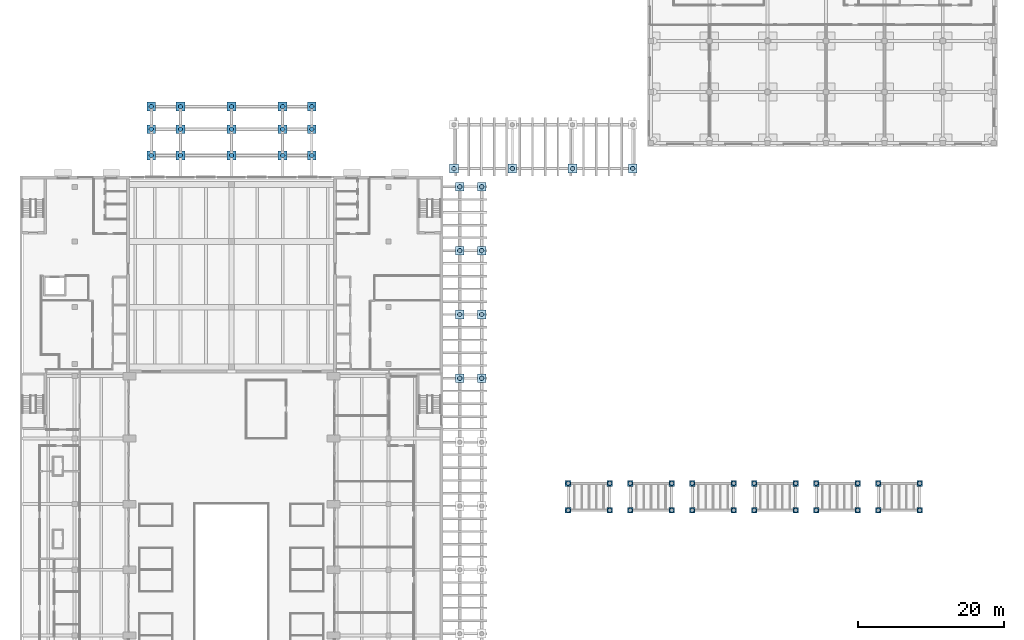
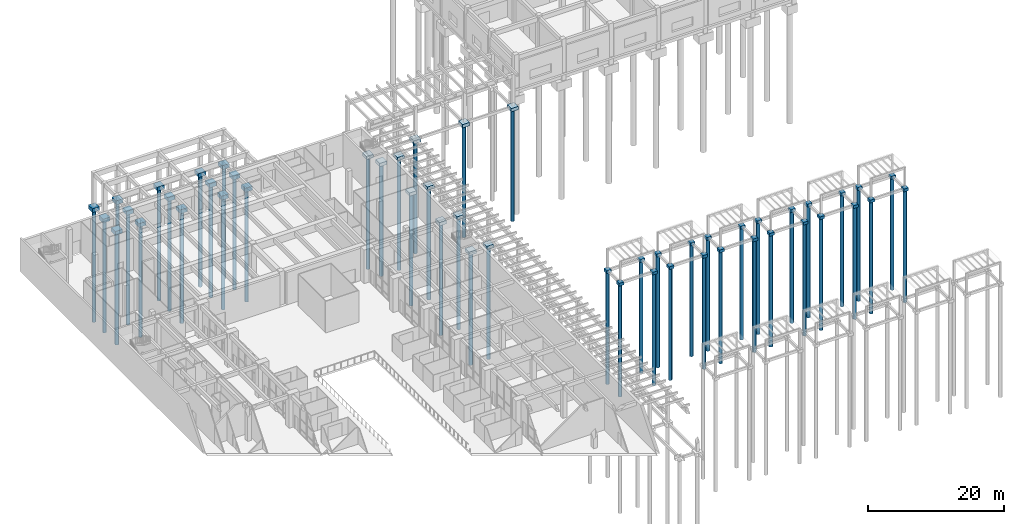
# One storey, part 2 of 51: 51 footings, 51 piles.
"""IFC4 building model written with IfcOpenShell, lengths in metres."""

from ifc_helpers import new_model, si_unit, direction, frame, origin, origin_2d, place, context, subcontext, project, spatial, polyline, circle, outline, extrude, material, layer, layer_set, material_profile, profile_set, type_object, element, save


model = new_model("IFC4")

# Units and contexts
model_context = context("Model", 3, precision=1e-05, world=origin(), true_north=direction((0.0, 1.0)))
body_context = subcontext(model_context, "Body", "Model", "MODEL_VIEW")
ifc_project = project(units=[si_unit("LENGTHUNIT", "METRE"), si_unit("AREAUNIT", "SQUARE_METRE"), si_unit("VOLUMEUNIT", "CUBIC_METRE"), si_unit("PLANEANGLEUNIT", "RADIAN"), si_unit("MASSUNIT", "GRAM", prefix="KILO")], contexts=[model_context])

# Site, building, storey
site_placement = place(None, origin())
site = spatial("IfcSite", under=ifc_project, at=site_placement, CompositionType="ELEMENT")
building_placement = place(site_placement, origin())
building = spatial("IfcBuilding", under=site, at=building_placement, Name="Elmora Arch Market Hall", CompositionType="ELEMENT")
storey_placement = place(building_placement, origin())
storey = spatial("IfcBuildingStorey", under=building, at=storey_placement, Name="L00", CompositionType="ELEMENT", Elevation=0.0)

# Piles
ifc_material_1 = material(Name="Concrete C40/50", Category="concrete")
ifc_material_profile = material_profile(ifc_material_1, circle(Radius=0.300048828125, at=origin_2d()), Name="Bored pile D600")
ifc_profile_set = profile_set([ifc_material_profile], Name="Concrete C40/50")
pile_type = type_object("IfcPileType", Name="Bored pile D600", PredefinedType="BORED", material=ifc_profile_set)
for number, where, z_axis, x_axis, name in (
    (1, (60.300048828125, 98.25, -0.89990234375), (0.0, 0.0, -1.0), (1.0, 0.0, 0.0), "Bored pile PASS-E-10"),
    (2, (60.300048828125, 107.0, -0.89990234375), (0.0, 0.0, -1.0), (1.0, 0.0, 0.0), "Bored pile PASS-E-11"),
    (3, (60.300048828125, 115.75, -0.89990234375), (0.0, 0.0, -1.0), (1.0, 0.0, 0.0), "Bored pile PASS-E-12"),
    (4, (60.300048828125, 124.5, -0.89990234375), (0.0, 0.0, -1.0), (1.0, 0.0, 0.0), "Bored pile PASS-E-13"),
    (5, (63.300048828125, 98.25, -0.89990234375), (0.0, 0.0, -1.0), (1.0, 0.0, 0.0), "Bored pile PASS-E-23"),
    (6, (63.300048828125, 107.0, -0.89990234375), (0.0, 0.0, -1.0), (1.0, 0.0, 0.0), "Bored pile PASS-E-24"),
    (7, (63.300048828125, 115.75, -0.89990234375), (0.0, 0.0, -1.0), (1.0, 0.0, 0.0), "Bored pile PASS-E-25"),
    (8, (63.300048828125, 124.5, -0.89990234375), (0.0, 0.0, -1.0), (1.0, 0.0, 0.0), "Bored pile PASS-E-26"),
    (9, (59.5, 127.0, -0.89990234375), (0.0, 0.0, -1.0), (1.0, 0.0, 0.0), "Bored pile PASS-N-01"),
    (10, (67.5, 127.0, -0.89990234375), (0.0, 0.0, -1.0), (1.0, 0.0, 0.0), "Bored pile PASS-N-02"),
    (11, (75.75, 127.0, -0.89990234375), (0.0, 0.0, -1.0), (1.0, 0.0, 0.0), "Bored pile PASS-N-03"),
    (12, (84.0, 127.0, -0.89990234375), (0.0, 0.0, -1.0), (1.0, 0.0, 0.0), "Bored pile PASS-N-04"),
    (13, (75.14990234375, 80.14990234375, -0.800048828125), (0.0, 0.0, -1.0), (1.0, 0.0, 0.0), "Bored pile STALL-21-1"),
    (14, (80.85009765625, 80.14990234375, -0.800048828125), (0.0, 0.0, -1.0), (1.0, 0.0, 0.0), "Bored pile STALL-21-2"),
    (15, (75.14990234375, 83.85009765625, -0.800048828125), (0.0, 0.0, -1.0), (1.0, 0.0, 0.0), "Bored pile STALL-21-3"),
    (16, (80.85009765625, 83.85009765625, -0.800048828125), (0.0, 0.0, -1.0), (1.0, 0.0, 0.0), "Bored pile STALL-21-4"),
    (17, (83.64990234375, 80.14990234375, -0.800048828125), (0.0, 0.0, -1.0), (1.0, 0.0, 0.0), "Bored pile STALL-22-1"),
    (18, (89.35009765625, 80.14990234375, -0.800048828125), (0.0, 0.0, -1.0), (1.0, 0.0, 0.0), "Bored pile STALL-22-2"),
    (19, (83.64990234375, 83.85009765625, -0.800048828125), (0.0, 0.0, -1.0), (1.0, 0.0, 0.0), "Bored pile STALL-22-3"),
    (20, (89.35009765625, 83.85009765625, -0.800048828125), (0.0, 0.0, -1.0), (1.0, 0.0, 0.0), "Bored pile STALL-22-4"),
    (21, (92.14990234375, 80.14990234375, -0.800048828125), (0.0, 0.0, -1.0), (1.0, 0.0, 0.0), "Bored pile STALL-23-1"),
    (22, (97.85009765625, 80.14990234375, -0.800048828125), (0.0, 0.0, -1.0), (1.0, 0.0, 0.0), "Bored pile STALL-23-2"),
    (23, (92.14990234375, 83.85009765625, -0.800048828125), (0.0, 0.0, -1.0), (1.0, 0.0, 0.0), "Bored pile STALL-23-3"),
    (24, (97.85009765625, 83.85009765625, -0.800048828125), (0.0, 0.0, -1.0), (1.0, 0.0, 0.0), "Bored pile STALL-23-4"),
    (25, (100.64990234375, 80.14990234375, -0.800048828125), (0.0, 0.0, -1.0), (1.0, 0.0, 0.0), "Bored pile STALL-24-1"),
    (26, (106.35009765625, 80.14990234375, -0.800048828125), (0.0, 0.0, -1.0), (1.0, 0.0, 0.0), "Bored pile STALL-24-2"),
    (27, (100.64990234375, 83.85009765625, -0.800048828125), (0.0, 0.0, -1.0), (1.0, 0.0, 0.0), "Bored pile STALL-24-3"),
    (28, (106.35009765625, 83.85009765625, -0.800048828125), (0.0, 0.0, -1.0), (1.0, 0.0, 0.0), "Bored pile STALL-24-4"),
    (29, (109.14990234375, 80.14990234375, -0.800048828125), (0.0, 0.0, -1.0), (1.0, 0.0, 0.0), "Bored pile STALL-25-1"),
    (30, (114.85009765625, 80.14990234375, -0.800048828125), (0.0, 0.0, -1.0), (1.0, 0.0, 0.0), "Bored pile STALL-25-2"),
    (31, (109.14990234375, 83.85009765625, -0.800048828125), (0.0, 0.0, -1.0), (1.0, 0.0, 0.0), "Bored pile STALL-25-3"),
    (32, (114.85009765625, 83.85009765625, -0.800048828125), (0.0, 0.0, -1.0), (1.0, 0.0, 0.0), "Bored pile STALL-25-4"),
    (33, (117.64990234375, 80.14990234375, -0.800048828125), (0.0, 0.0, -1.0), (1.0, 0.0, 0.0), "Bored pile STALL-26-1"),
    (34, (123.35009765625, 80.14990234375, -0.800048828125), (0.0, 0.0, -1.0), (1.0, 0.0, 0.0), "Bored pile STALL-26-2"),
    (35, (117.64990234375, 83.85009765625, -0.800048828125), (0.0, 0.0, -1.0), (1.0, 0.0, 0.0), "Bored pile STALL-26-3"),
    (36, (123.35009765625, 83.85009765625, -0.800048828125), (0.0, 0.0, -1.0), (1.0, 0.0, 0.0), "Bored pile STALL-26-4"),
    (37, (18.0, 128.800048828125, -1.0), (0.0, 0.0, -1.0), (1.0, 0.0, 0.0), "Bored pile CAN-GATE-01"),
    (38, (22.0, 128.800048828125, -1.0), (0.0, 0.0, -1.0), (1.0, 0.0, 0.0), "Bored pile CAN-GATE-02"),
    (39, (29.0, 128.800048828125, -1.0), (0.0, 0.0, -1.0), (1.0, 0.0, 0.0), "Bored pile CAN-GATE-03"),
    (40, (36.0, 128.800048828125, -1.0), (0.0, 0.0, -1.0), (1.0, 0.0, 0.0), "Bored pile CAN-GATE-04"),
    (41, (40.0, 128.800048828125, -1.0), (0.0, 0.0, -1.0), (1.0, 0.0, 0.0), "Bored pile CAN-GATE-05"),
    (42, (18.0, 132.39990234375, -1.0), (0.0, 0.0, -1.0), (1.0, 0.0, 0.0), "Bored pile CAN-GATE-06"),
    (43, (22.0, 132.39990234375, -1.0), (0.0, 0.0, -1.0), (1.0, 0.0, 0.0), "Bored pile CAN-GATE-07"),
    (44, (29.0, 132.39990234375, -1.0), (0.0, 0.0, -1.0), (1.0, 0.0, 0.0), "Bored pile CAN-GATE-08"),
    (45, (36.0, 132.39990234375, -1.0), (0.0, 0.0, -1.0), (1.0, 0.0, 0.0), "Bored pile CAN-GATE-09"),
    (46, (40.0, 132.39990234375, -1.0), (0.0, 0.0, -1.0), (1.0, 0.0, 0.0), "Bored pile CAN-GATE-10"),
    (47, (18.0, 135.5, -1.0), (0.0, 0.0, -1.0), (1.0, 0.0, 0.0), "Bored pile CAN-GATE-11"),
    (48, (22.0, 135.5, -1.0), (0.0, 0.0, -1.0), (1.0, 0.0, 0.0), "Bored pile CAN-GATE-12"),
    (49, (29.0, 135.5, -1.0), (0.0, 0.0, -1.0), (1.0, 0.0, 0.0), "Bored pile CAN-GATE-13"),
    (50, (36.0, 135.5, -1.0), (0.0, 0.0, -1.0), (1.0, 0.0, 0.0), "Bored pile CAN-GATE-14"),
    (51, (40.0, 135.5, -1.0), (0.0, 0.0, -1.0), (1.0, 0.0, 0.0), "Bored pile CAN-GATE-15"),
):
    element("IfcPile", number, at=place(storey_placement, frame(where, z_axis=z_axis, x_axis=x_axis)), inside=storey, type_object=pile_type, Name=name, PredefinedType="BORED", context=body_context, shape_type="SweptSolid", body=[
        extrude(circle(Radius=0.300048828125, at=origin_2d()), origin(), (0.0, 0.0, 1.0), 20.0),
    ])

# Footings
ifc_material_2 = material(Name="Concrete C40/50", Category="concrete")
ifc_layer_1 = layer(ifc_material_2, 0.5)
ifc_layer_set_1 = layer_set([ifc_layer_1], Name="Concrete C40/50")
footing_type_1 = type_object("IfcFootingType", Name="Pad footing 500", PredefinedType="PAD_FOOTING", material=ifc_layer_set_1)
footing_1_placement = place(storey_placement, frame((0.0, 0.0, -0.800048828125)))
element("IfcFooting", 52, at=footing_1_placement, inside=storey, type_object=footing_type_1, Name="Pad footing STALL-21-1", PredefinedType="PAD_FOOTING", context=body_context, shape_type="SweptSolid", body=[
    extrude(outline(polyline([(74.75, 79.75), (75.550048828125, 79.75), (75.550048828125, 80.550048828125), (74.75, 80.550048828125), (74.75, 79.75)])), origin(), (0.0, 0.0, 1.0), 0.5),
])
footing_2_placement = place(storey_placement, frame((0.0, 0.0, -0.800048828125)))
element("IfcFooting", 53, at=footing_2_placement, inside=storey, type_object=footing_type_1, Name="Pad footing STALL-21-2", PredefinedType="PAD_FOOTING", context=body_context, shape_type="SweptSolid", body=[
    extrude(outline(polyline([(80.449951171875, 79.75), (81.25, 79.75), (81.25, 80.550048828125), (80.449951171875, 80.550048828125), (80.449951171875, 79.75)])), origin(), (0.0, 0.0, 1.0), 0.5),
])
footing_3_placement = place(storey_placement, frame((0.0, 0.0, -0.800048828125)))
element("IfcFooting", 54, at=footing_3_placement, inside=storey, type_object=footing_type_1, Name="Pad footing STALL-21-3", PredefinedType="PAD_FOOTING", context=body_context, shape_type="SweptSolid", body=[
    extrude(outline(polyline([(74.75, 83.449951171875), (75.550048828125, 83.449951171875), (75.550048828125, 84.25), (74.75, 84.25), (74.75, 83.449951171875)])), origin(), (0.0, 0.0, 1.0), 0.5),
])
footing_4_placement = place(storey_placement, frame((0.0, 0.0, -0.800048828125)))
element("IfcFooting", 55, at=footing_4_placement, inside=storey, type_object=footing_type_1, Name="Pad footing STALL-21-4", PredefinedType="PAD_FOOTING", context=body_context, shape_type="SweptSolid", body=[
    extrude(outline(polyline([(80.449951171875, 83.449951171875), (81.25, 83.449951171875), (81.25, 84.25), (80.449951171875, 84.25), (80.449951171875, 83.449951171875)])), origin(), (0.0, 0.0, 1.0), 0.5),
])
footing_5_placement = place(storey_placement, frame((0.0, 0.0, -0.800048828125)))
element("IfcFooting", 56, at=footing_5_placement, inside=storey, type_object=footing_type_1, Name="Pad footing STALL-22-1", PredefinedType="PAD_FOOTING", context=body_context, shape_type="SweptSolid", body=[
    extrude(outline(polyline([(83.25, 79.75), (84.050048828125, 79.75), (84.050048828125, 80.550048828125), (83.25, 80.550048828125), (83.25, 79.75)])), origin(), (0.0, 0.0, 1.0), 0.5),
])
footing_6_placement = place(storey_placement, frame((0.0, 0.0, -0.800048828125)))
element("IfcFooting", 57, at=footing_6_placement, inside=storey, type_object=footing_type_1, Name="Pad footing STALL-22-2", PredefinedType="PAD_FOOTING", context=body_context, shape_type="SweptSolid", body=[
    extrude(outline(polyline([(88.949951171875, 79.75), (89.75, 79.75), (89.75, 80.550048828125), (88.949951171875, 80.550048828125), (88.949951171875, 79.75)])), origin(), (0.0, 0.0, 1.0), 0.5),
])
footing_7_placement = place(storey_placement, frame((0.0, 0.0, -0.800048828125)))
element("IfcFooting", 58, at=footing_7_placement, inside=storey, type_object=footing_type_1, Name="Pad footing STALL-22-3", PredefinedType="PAD_FOOTING", context=body_context, shape_type="SweptSolid", body=[
    extrude(outline(polyline([(83.25, 83.449951171875), (84.050048828125, 83.449951171875), (84.050048828125, 84.25), (83.25, 84.25), (83.25, 83.449951171875)])), origin(), (0.0, 0.0, 1.0), 0.5),
])
footing_8_placement = place(storey_placement, frame((0.0, 0.0, -0.800048828125)))
element("IfcFooting", 59, at=footing_8_placement, inside=storey, type_object=footing_type_1, Name="Pad footing STALL-22-4", PredefinedType="PAD_FOOTING", context=body_context, shape_type="SweptSolid", body=[
    extrude(outline(polyline([(88.949951171875, 83.449951171875), (89.75, 83.449951171875), (89.75, 84.25), (88.949951171875, 84.25), (88.949951171875, 83.449951171875)])), origin(), (0.0, 0.0, 1.0), 0.5),
])
footing_9_placement = place(storey_placement, frame((0.0, 0.0, -0.800048828125)))
element("IfcFooting", 60, at=footing_9_placement, inside=storey, type_object=footing_type_1, Name="Pad footing STALL-23-1", PredefinedType="PAD_FOOTING", context=body_context, shape_type="SweptSolid", body=[
    extrude(outline(polyline([(91.75, 79.75), (92.550048828125, 79.75), (92.550048828125, 80.550048828125), (91.75, 80.550048828125), (91.75, 79.75)])), origin(), (0.0, 0.0, 1.0), 0.5),
])
footing_10_placement = place(storey_placement, frame((0.0, 0.0, -0.800048828125)))
element("IfcFooting", 61, at=footing_10_placement, inside=storey, type_object=footing_type_1, Name="Pad footing STALL-23-2", PredefinedType="PAD_FOOTING", context=body_context, shape_type="SweptSolid", body=[
    extrude(outline(polyline([(97.449951171875, 79.75), (98.25, 79.75), (98.25, 80.550048828125), (97.449951171875, 80.550048828125), (97.449951171875, 79.75)])), origin(), (0.0, 0.0, 1.0), 0.5),
])
footing_11_placement = place(storey_placement, frame((0.0, 0.0, -0.800048828125)))
element("IfcFooting", 62, at=footing_11_placement, inside=storey, type_object=footing_type_1, Name="Pad footing STALL-23-3", PredefinedType="PAD_FOOTING", context=body_context, shape_type="SweptSolid", body=[
    extrude(outline(polyline([(91.75, 83.449951171875), (92.550048828125, 83.449951171875), (92.550048828125, 84.25), (91.75, 84.25), (91.75, 83.449951171875)])), origin(), (0.0, 0.0, 1.0), 0.5),
])
footing_12_placement = place(storey_placement, frame((0.0, 0.0, -0.800048828125)))
element("IfcFooting", 63, at=footing_12_placement, inside=storey, type_object=footing_type_1, Name="Pad footing STALL-23-4", PredefinedType="PAD_FOOTING", context=body_context, shape_type="SweptSolid", body=[
    extrude(outline(polyline([(97.449951171875, 83.449951171875), (98.25, 83.449951171875), (98.25, 84.25), (97.449951171875, 84.25), (97.449951171875, 83.449951171875)])), origin(), (0.0, 0.0, 1.0), 0.5),
])
footing_13_placement = place(storey_placement, frame((0.0, 0.0, -0.800048828125)))
element("IfcFooting", 64, at=footing_13_placement, inside=storey, type_object=footing_type_1, Name="Pad footing STALL-24-1", PredefinedType="PAD_FOOTING", context=body_context, shape_type="SweptSolid", body=[
    extrude(outline(polyline([(100.25, 79.75), (101.050048828125, 79.75), (101.050048828125, 80.550048828125), (100.25, 80.550048828125), (100.25, 79.75)])), origin(), (0.0, 0.0, 1.0), 0.5),
])
footing_14_placement = place(storey_placement, frame((0.0, 0.0, -0.800048828125)))
element("IfcFooting", 65, at=footing_14_placement, inside=storey, type_object=footing_type_1, Name="Pad footing STALL-24-2", PredefinedType="PAD_FOOTING", context=body_context, shape_type="SweptSolid", body=[
    extrude(outline(polyline([(105.949951171875, 79.75), (106.75, 79.75), (106.75, 80.550048828125), (105.949951171875, 80.550048828125), (105.949951171875, 79.75)])), origin(), (0.0, 0.0, 1.0), 0.5),
])
footing_15_placement = place(storey_placement, frame((0.0, 0.0, -0.800048828125)))
element("IfcFooting", 66, at=footing_15_placement, inside=storey, type_object=footing_type_1, Name="Pad footing STALL-24-3", PredefinedType="PAD_FOOTING", context=body_context, shape_type="SweptSolid", body=[
    extrude(outline(polyline([(100.25, 83.449951171875), (101.050048828125, 83.449951171875), (101.050048828125, 84.25), (100.25, 84.25), (100.25, 83.449951171875)])), origin(), (0.0, 0.0, 1.0), 0.5),
])
footing_16_placement = place(storey_placement, frame((0.0, 0.0, -0.800048828125)))
element("IfcFooting", 67, at=footing_16_placement, inside=storey, type_object=footing_type_1, Name="Pad footing STALL-24-4", PredefinedType="PAD_FOOTING", context=body_context, shape_type="SweptSolid", body=[
    extrude(outline(polyline([(105.949951171875, 83.449951171875), (106.75, 83.449951171875), (106.75, 84.25), (105.949951171875, 84.25), (105.949951171875, 83.449951171875)])), origin(), (0.0, 0.0, 1.0), 0.5),
])
footing_17_placement = place(storey_placement, frame((0.0, 0.0, -0.800048828125)))
element("IfcFooting", 68, at=footing_17_placement, inside=storey, type_object=footing_type_1, Name="Pad footing STALL-25-1", PredefinedType="PAD_FOOTING", context=body_context, shape_type="SweptSolid", body=[
    extrude(outline(polyline([(108.75, 79.75), (109.550048828125, 79.75), (109.550048828125, 80.550048828125), (108.75, 80.550048828125), (108.75, 79.75)])), origin(), (0.0, 0.0, 1.0), 0.5),
])
footing_18_placement = place(storey_placement, frame((0.0, 0.0, -0.800048828125)))
element("IfcFooting", 69, at=footing_18_placement, inside=storey, type_object=footing_type_1, Name="Pad footing STALL-25-2", PredefinedType="PAD_FOOTING", context=body_context, shape_type="SweptSolid", body=[
    extrude(outline(polyline([(114.449951171875, 79.75), (115.25, 79.75), (115.25, 80.550048828125), (114.449951171875, 80.550048828125), (114.449951171875, 79.75)])), origin(), (0.0, 0.0, 1.0), 0.5),
])
footing_19_placement = place(storey_placement, frame((0.0, 0.0, -0.800048828125)))
element("IfcFooting", 70, at=footing_19_placement, inside=storey, type_object=footing_type_1, Name="Pad footing STALL-25-3", PredefinedType="PAD_FOOTING", context=body_context, shape_type="SweptSolid", body=[
    extrude(outline(polyline([(108.75, 83.449951171875), (109.550048828125, 83.449951171875), (109.550048828125, 84.25), (108.75, 84.25), (108.75, 83.449951171875)])), origin(), (0.0, 0.0, 1.0), 0.5),
])
footing_20_placement = place(storey_placement, frame((0.0, 0.0, -0.800048828125)))
element("IfcFooting", 71, at=footing_20_placement, inside=storey, type_object=footing_type_1, Name="Pad footing STALL-25-4", PredefinedType="PAD_FOOTING", context=body_context, shape_type="SweptSolid", body=[
    extrude(outline(polyline([(114.449951171875, 83.449951171875), (115.25, 83.449951171875), (115.25, 84.25), (114.449951171875, 84.25), (114.449951171875, 83.449951171875)])), origin(), (0.0, 0.0, 1.0), 0.5),
])
footing_21_placement = place(storey_placement, frame((0.0, 0.0, -0.800048828125)))
element("IfcFooting", 72, at=footing_21_placement, inside=storey, type_object=footing_type_1, Name="Pad footing STALL-26-1", PredefinedType="PAD_FOOTING", context=body_context, shape_type="SweptSolid", body=[
    extrude(outline(polyline([(117.25, 79.75), (118.050048828125, 79.75), (118.050048828125, 80.550048828125), (117.25, 80.550048828125), (117.25, 79.75)])), origin(), (0.0, 0.0, 1.0), 0.5),
])
footing_22_placement = place(storey_placement, frame((0.0, 0.0, -0.800048828125)))
element("IfcFooting", 73, at=footing_22_placement, inside=storey, type_object=footing_type_1, Name="Pad footing STALL-26-2", PredefinedType="PAD_FOOTING", context=body_context, shape_type="SweptSolid", body=[
    extrude(outline(polyline([(122.949951171875, 79.75), (123.75, 79.75), (123.75, 80.550048828125), (122.949951171875, 80.550048828125), (122.949951171875, 79.75)])), origin(), (0.0, 0.0, 1.0), 0.5),
])
footing_23_placement = place(storey_placement, frame((0.0, 0.0, -0.800048828125)))
element("IfcFooting", 74, at=footing_23_placement, inside=storey, type_object=footing_type_1, Name="Pad footing STALL-26-3", PredefinedType="PAD_FOOTING", context=body_context, shape_type="SweptSolid", body=[
    extrude(outline(polyline([(117.25, 83.449951171875), (118.050048828125, 83.449951171875), (118.050048828125, 84.25), (117.25, 84.25), (117.25, 83.449951171875)])), origin(), (0.0, 0.0, 1.0), 0.5),
])
footing_24_placement = place(storey_placement, frame((0.0, 0.0, -0.800048828125)))
element("IfcFooting", 75, at=footing_24_placement, inside=storey, type_object=footing_type_1, Name="Pad footing STALL-26-4", PredefinedType="PAD_FOOTING", context=body_context, shape_type="SweptSolid", body=[
    extrude(outline(polyline([(122.949951171875, 83.449951171875), (123.75, 83.449951171875), (123.75, 84.25), (122.949951171875, 84.25), (122.949951171875, 83.449951171875)])), origin(), (0.0, 0.0, 1.0), 0.5),
])
ifc_material_3 = material(Name="Concrete C40/50", Category="concrete")
ifc_layer_2 = layer(ifc_material_3, 0.60009765625)
ifc_layer_set_2 = layer_set([ifc_layer_2], Name="Concrete C40/50")
footing_type_2 = type_object("IfcFootingType", Name="Pad footing 600", PredefinedType="PAD_FOOTING", material=ifc_layer_set_2)
footing_25_placement = place(storey_placement, frame((0.0, 0.0, -0.89990234375)))
element("IfcFooting", 76, at=footing_25_placement, inside=storey, type_object=footing_type_2, Name="Pad footing PASS-E-10", PredefinedType="PAD_FOOTING", context=body_context, shape_type="SweptSolid", body=[
    extrude(outline(polyline([(59.699951171875, 97.64990234375), (60.89990234375, 97.64990234375), (60.89990234375, 98.85009765625), (59.699951171875, 98.85009765625), (59.699951171875, 97.64990234375)])), origin(), (0.0, 0.0, 1.0), 0.599853515625),
])
footing_26_placement = place(storey_placement, frame((0.0, 0.0, -0.89990234375)))
element("IfcFooting", 77, at=footing_26_placement, inside=storey, type_object=footing_type_2, Name="Pad footing PASS-E-11", PredefinedType="PAD_FOOTING", context=body_context, shape_type="SweptSolid", body=[
    extrude(outline(polyline([(59.699951171875, 106.39990234375), (60.89990234375, 106.39990234375), (60.89990234375, 107.60009765625), (59.699951171875, 107.60009765625), (59.699951171875, 106.39990234375)])), origin(), (0.0, 0.0, 1.0), 0.599853515625),
])
footing_27_placement = place(storey_placement, frame((0.0, 0.0, -0.89990234375)))
element("IfcFooting", 78, at=footing_27_placement, inside=storey, type_object=footing_type_2, Name="Pad footing PASS-E-12", PredefinedType="PAD_FOOTING", context=body_context, shape_type="SweptSolid", body=[
    extrude(outline(polyline([(59.699951171875, 115.14990234375), (60.89990234375, 115.14990234375), (60.89990234375, 116.35009765625), (59.699951171875, 116.35009765625), (59.699951171875, 115.14990234375)])), origin(), (0.0, 0.0, 1.0), 0.599853515625),
])
footing_28_placement = place(storey_placement, frame((0.0, 0.0, -0.89990234375)))
element("IfcFooting", 79, at=footing_28_placement, inside=storey, type_object=footing_type_2, Name="Pad footing PASS-E-13", PredefinedType="PAD_FOOTING", context=body_context, shape_type="SweptSolid", body=[
    extrude(outline(polyline([(59.699951171875, 123.89990234375), (60.89990234375, 123.89990234375), (60.89990234375, 125.10009765625), (59.699951171875, 125.10009765625), (59.699951171875, 123.89990234375)])), origin(), (0.0, 0.0, 1.0), 0.599853515625),
])
footing_29_placement = place(storey_placement, frame((0.0, 0.0, -0.89990234375)))
element("IfcFooting", 80, at=footing_29_placement, inside=storey, type_object=footing_type_2, Name="Pad footing PASS-E-23", PredefinedType="PAD_FOOTING", context=body_context, shape_type="SweptSolid", body=[
    extrude(outline(polyline([(62.699951171875, 97.64990234375), (63.89990234375, 97.64990234375), (63.89990234375, 98.85009765625), (62.699951171875, 98.85009765625), (62.699951171875, 97.64990234375)])), origin(), (0.0, 0.0, 1.0), 0.599853515625),
])
footing_30_placement = place(storey_placement, frame((0.0, 0.0, -0.89990234375)))
element("IfcFooting", 81, at=footing_30_placement, inside=storey, type_object=footing_type_2, Name="Pad footing PASS-E-24", PredefinedType="PAD_FOOTING", context=body_context, shape_type="SweptSolid", body=[
    extrude(outline(polyline([(62.699951171875, 106.39990234375), (63.89990234375, 106.39990234375), (63.89990234375, 107.60009765625), (62.699951171875, 107.60009765625), (62.699951171875, 106.39990234375)])), origin(), (0.0, 0.0, 1.0), 0.599853515625),
])
footing_31_placement = place(storey_placement, frame((0.0, 0.0, -0.89990234375)))
element("IfcFooting", 82, at=footing_31_placement, inside=storey, type_object=footing_type_2, Name="Pad footing PASS-E-25", PredefinedType="PAD_FOOTING", context=body_context, shape_type="SweptSolid", body=[
    extrude(outline(polyline([(62.699951171875, 115.14990234375), (63.89990234375, 115.14990234375), (63.89990234375, 116.35009765625), (62.699951171875, 116.35009765625), (62.699951171875, 115.14990234375)])), origin(), (0.0, 0.0, 1.0), 0.599853515625),
])
footing_32_placement = place(storey_placement, frame((0.0, 0.0, -0.89990234375)))
element("IfcFooting", 83, at=footing_32_placement, inside=storey, type_object=footing_type_2, Name="Pad footing PASS-E-26", PredefinedType="PAD_FOOTING", context=body_context, shape_type="SweptSolid", body=[
    extrude(outline(polyline([(62.699951171875, 123.89990234375), (63.89990234375, 123.89990234375), (63.89990234375, 125.10009765625), (62.699951171875, 125.10009765625), (62.699951171875, 123.89990234375)])), origin(), (0.0, 0.0, 1.0), 0.599853515625),
])
footing_33_placement = place(storey_placement, frame((0.0, 0.0, -0.89990234375)))
element("IfcFooting", 84, at=footing_33_placement, inside=storey, type_object=footing_type_2, Name="Pad footing PASS-N-01", PredefinedType="PAD_FOOTING", context=body_context, shape_type="SweptSolid", body=[
    extrude(outline(polyline([(58.89990234375, 126.39990234375), (60.10009765625, 126.39990234375), (60.10009765625, 127.60009765625), (58.89990234375, 127.60009765625), (58.89990234375, 126.39990234375)])), origin(), (0.0, 0.0, 1.0), 0.599853515625),
])
footing_34_placement = place(storey_placement, frame((0.0, 0.0, -0.89990234375)))
element("IfcFooting", 85, at=footing_34_placement, inside=storey, type_object=footing_type_2, Name="Pad footing PASS-N-02", PredefinedType="PAD_FOOTING", context=body_context, shape_type="SweptSolid", body=[
    extrude(outline(polyline([(66.89990234375, 126.39990234375), (68.10009765625, 126.39990234375), (68.10009765625, 127.60009765625), (66.89990234375, 127.60009765625), (66.89990234375, 126.39990234375)])), origin(), (0.0, 0.0, 1.0), 0.599853515625),
])
footing_35_placement = place(storey_placement, frame((0.0, 0.0, -0.89990234375)))
element("IfcFooting", 86, at=footing_35_placement, inside=storey, type_object=footing_type_2, Name="Pad footing PASS-N-03", PredefinedType="PAD_FOOTING", context=body_context, shape_type="SweptSolid", body=[
    extrude(outline(polyline([(75.14990234375, 126.39990234375), (76.35009765625, 126.39990234375), (76.35009765625, 127.60009765625), (75.14990234375, 127.60009765625), (75.14990234375, 126.39990234375)])), origin(), (0.0, 0.0, 1.0), 0.599853515625),
])
footing_36_placement = place(storey_placement, frame((0.0, 0.0, -0.89990234375)))
element("IfcFooting", 87, at=footing_36_placement, inside=storey, type_object=footing_type_2, Name="Pad footing PASS-N-04", PredefinedType="PAD_FOOTING", context=body_context, shape_type="SweptSolid", body=[
    extrude(outline(polyline([(83.39990234375, 126.39990234375), (84.60009765625, 126.39990234375), (84.60009765625, 127.60009765625), (83.39990234375, 127.60009765625), (83.39990234375, 126.39990234375)])), origin(), (0.0, 0.0, 1.0), 0.599853515625),
])
ifc_material_4 = material(Name="Concrete C40/50", Category="concrete")
ifc_layer_3 = layer(ifc_material_4, 0.699951171875)
ifc_layer_set_3 = layer_set([ifc_layer_3], Name="Concrete C40/50")
footing_type_3 = type_object("IfcFootingType", Name="Pad footing 700", PredefinedType="PAD_FOOTING", material=ifc_layer_set_3)
footing_37_placement = place(storey_placement, frame((0.0, 0.0, -1.0)))
element("IfcFooting", 88, at=footing_37_placement, inside=storey, type_object=footing_type_3, Name="Pad footing CAN-GATE-01", PredefinedType="PAD_FOOTING", context=body_context, shape_type="SweptSolid", body=[
    extrude(outline(polyline([(17.39990234375, 128.199951171875), (18.60009765625, 128.199951171875), (18.60009765625, 129.39990234375), (17.39990234375, 129.39990234375), (17.39990234375, 128.199951171875)])), origin(), (0.0, 0.0, 1.0), 0.699951171875),
])
footing_38_placement = place(storey_placement, frame((0.0, 0.0, -1.0)))
element("IfcFooting", 89, at=footing_38_placement, inside=storey, type_object=footing_type_3, Name="Pad footing CAN-GATE-02", PredefinedType="PAD_FOOTING", context=body_context, shape_type="SweptSolid", body=[
    extrude(outline(polyline([(21.39990234375, 128.199951171875), (22.60009765625, 128.199951171875), (22.60009765625, 129.39990234375), (21.39990234375, 129.39990234375), (21.39990234375, 128.199951171875)])), origin(), (0.0, 0.0, 1.0), 0.699951171875),
])
footing_39_placement = place(storey_placement, frame((0.0, 0.0, -1.0)))
element("IfcFooting", 90, at=footing_39_placement, inside=storey, type_object=footing_type_3, Name="Pad footing CAN-GATE-03", PredefinedType="PAD_FOOTING", context=body_context, shape_type="SweptSolid", body=[
    extrude(outline(polyline([(28.39990234375, 128.199951171875), (29.60009765625, 128.199951171875), (29.60009765625, 129.39990234375), (28.39990234375, 129.39990234375), (28.39990234375, 128.199951171875)])), origin(), (0.0, 0.0, 1.0), 0.699951171875),
])
footing_40_placement = place(storey_placement, frame((0.0, 0.0, -1.0)))
element("IfcFooting", 91, at=footing_40_placement, inside=storey, type_object=footing_type_3, Name="Pad footing CAN-GATE-04", PredefinedType="PAD_FOOTING", context=body_context, shape_type="SweptSolid", body=[
    extrude(outline(polyline([(35.39990234375, 128.199951171875), (36.60009765625, 128.199951171875), (36.60009765625, 129.39990234375), (35.39990234375, 129.39990234375), (35.39990234375, 128.199951171875)])), origin(), (0.0, 0.0, 1.0), 0.699951171875),
])
footing_41_placement = place(storey_placement, frame((0.0, 0.0, -1.0)))
element("IfcFooting", 92, at=footing_41_placement, inside=storey, type_object=footing_type_3, Name="Pad footing CAN-GATE-05", PredefinedType="PAD_FOOTING", context=body_context, shape_type="SweptSolid", body=[
    extrude(outline(polyline([(39.39990234375, 128.199951171875), (40.60009765625, 128.199951171875), (40.60009765625, 129.39990234375), (39.39990234375, 129.39990234375), (39.39990234375, 128.199951171875)])), origin(), (0.0, 0.0, 1.0), 0.699951171875),
])
footing_42_placement = place(storey_placement, frame((0.0, 0.0, -1.0)))
element("IfcFooting", 93, at=footing_42_placement, inside=storey, type_object=footing_type_3, Name="Pad footing CAN-GATE-06", PredefinedType="PAD_FOOTING", context=body_context, shape_type="SweptSolid", body=[
    extrude(outline(polyline([(17.39990234375, 131.800048828125), (18.60009765625, 131.800048828125), (18.60009765625, 133.0), (17.39990234375, 133.0), (17.39990234375, 131.800048828125)])), origin(), (0.0, 0.0, 1.0), 0.699951171875),
])
footing_43_placement = place(storey_placement, frame((0.0, 0.0, -1.0)))
element("IfcFooting", 94, at=footing_43_placement, inside=storey, type_object=footing_type_3, Name="Pad footing CAN-GATE-07", PredefinedType="PAD_FOOTING", context=body_context, shape_type="SweptSolid", body=[
    extrude(outline(polyline([(21.39990234375, 131.800048828125), (22.60009765625, 131.800048828125), (22.60009765625, 133.0), (21.39990234375, 133.0), (21.39990234375, 131.800048828125)])), origin(), (0.0, 0.0, 1.0), 0.699951171875),
])
footing_44_placement = place(storey_placement, frame((0.0, 0.0, -1.0)))
element("IfcFooting", 95, at=footing_44_placement, inside=storey, type_object=footing_type_3, Name="Pad footing CAN-GATE-08", PredefinedType="PAD_FOOTING", context=body_context, shape_type="SweptSolid", body=[
    extrude(outline(polyline([(28.39990234375, 131.800048828125), (29.60009765625, 131.800048828125), (29.60009765625, 133.0), (28.39990234375, 133.0), (28.39990234375, 131.800048828125)])), origin(), (0.0, 0.0, 1.0), 0.699951171875),
])
footing_45_placement = place(storey_placement, frame((0.0, 0.0, -1.0)))
element("IfcFooting", 96, at=footing_45_placement, inside=storey, type_object=footing_type_3, Name="Pad footing CAN-GATE-09", PredefinedType="PAD_FOOTING", context=body_context, shape_type="SweptSolid", body=[
    extrude(outline(polyline([(35.39990234375, 131.800048828125), (36.60009765625, 131.800048828125), (36.60009765625, 133.0), (35.39990234375, 133.0), (35.39990234375, 131.800048828125)])), origin(), (0.0, 0.0, 1.0), 0.699951171875),
])
footing_46_placement = place(storey_placement, frame((0.0, 0.0, -1.0)))
element("IfcFooting", 97, at=footing_46_placement, inside=storey, type_object=footing_type_3, Name="Pad footing CAN-GATE-10", PredefinedType="PAD_FOOTING", context=body_context, shape_type="SweptSolid", body=[
    extrude(outline(polyline([(39.39990234375, 131.800048828125), (40.60009765625, 131.800048828125), (40.60009765625, 133.0), (39.39990234375, 133.0), (39.39990234375, 131.800048828125)])), origin(), (0.0, 0.0, 1.0), 0.699951171875),
])
footing_47_placement = place(storey_placement, frame((0.0, 0.0, -1.0)))
element("IfcFooting", 98, at=footing_47_placement, inside=storey, type_object=footing_type_3, Name="Pad footing CAN-GATE-11", PredefinedType="PAD_FOOTING", context=body_context, shape_type="SweptSolid", body=[
    extrude(outline(polyline([(17.39990234375, 134.89990234375), (18.60009765625, 134.89990234375), (18.60009765625, 136.10009765625), (17.39990234375, 136.10009765625), (17.39990234375, 134.89990234375)])), origin(), (0.0, 0.0, 1.0), 0.699951171875),
])
footing_48_placement = place(storey_placement, frame((0.0, 0.0, -1.0)))
element("IfcFooting", 99, at=footing_48_placement, inside=storey, type_object=footing_type_3, Name="Pad footing CAN-GATE-12", PredefinedType="PAD_FOOTING", context=body_context, shape_type="SweptSolid", body=[
    extrude(outline(polyline([(21.39990234375, 134.89990234375), (22.60009765625, 134.89990234375), (22.60009765625, 136.10009765625), (21.39990234375, 136.10009765625), (21.39990234375, 134.89990234375)])), origin(), (0.0, 0.0, 1.0), 0.699951171875),
])
footing_49_placement = place(storey_placement, frame((0.0, 0.0, -1.0)))
element("IfcFooting", 100, at=footing_49_placement, inside=storey, type_object=footing_type_3, Name="Pad footing CAN-GATE-13", PredefinedType="PAD_FOOTING", context=body_context, shape_type="SweptSolid", body=[
    extrude(outline(polyline([(28.39990234375, 134.89990234375), (29.60009765625, 134.89990234375), (29.60009765625, 136.10009765625), (28.39990234375, 136.10009765625), (28.39990234375, 134.89990234375)])), origin(), (0.0, 0.0, 1.0), 0.699951171875),
])
footing_50_placement = place(storey_placement, frame((0.0, 0.0, -1.0)))
element("IfcFooting", 101, at=footing_50_placement, inside=storey, type_object=footing_type_3, Name="Pad footing CAN-GATE-14", PredefinedType="PAD_FOOTING", context=body_context, shape_type="SweptSolid", body=[
    extrude(outline(polyline([(35.39990234375, 134.89990234375), (36.60009765625, 134.89990234375), (36.60009765625, 136.10009765625), (35.39990234375, 136.10009765625), (35.39990234375, 134.89990234375)])), origin(), (0.0, 0.0, 1.0), 0.699951171875),
])
footing_51_placement = place(storey_placement, frame((0.0, 0.0, -1.0)))
element("IfcFooting", 102, at=footing_51_placement, inside=storey, type_object=footing_type_3, Name="Pad footing CAN-GATE-15", PredefinedType="PAD_FOOTING", context=body_context, shape_type="SweptSolid", body=[
    extrude(outline(polyline([(39.39990234375, 134.89990234375), (40.60009765625, 134.89990234375), (40.60009765625, 136.10009765625), (39.39990234375, 136.10009765625), (39.39990234375, 134.89990234375)])), origin(), (0.0, 0.0, 1.0), 0.699951171875),
])

save(model, "model.ifc")
